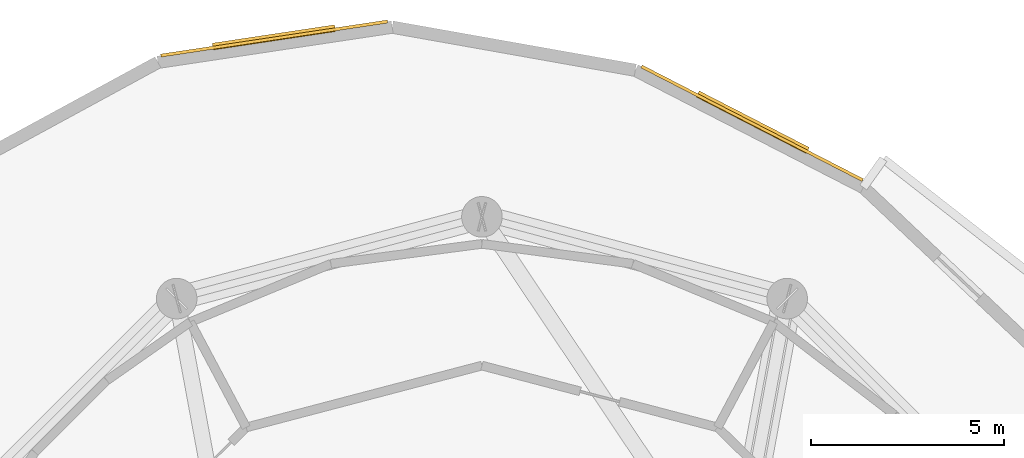
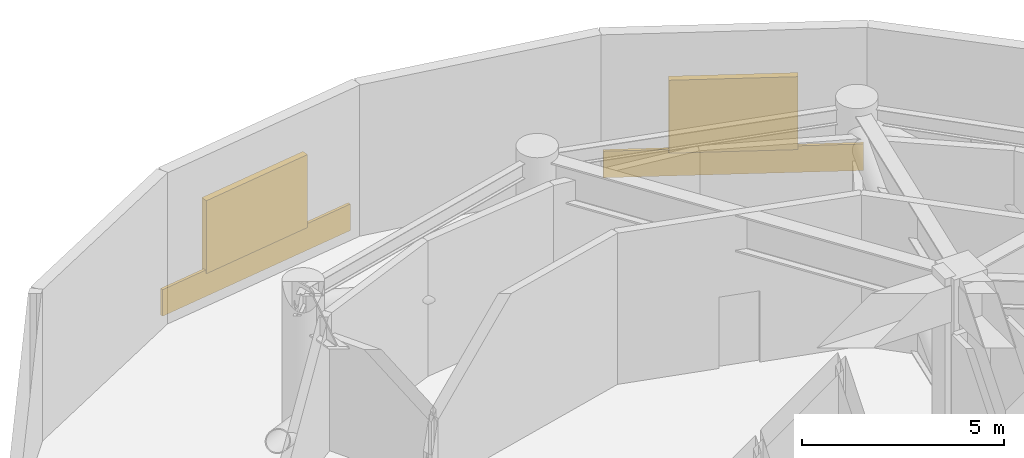
# One storey, part 7 of 7: 2 coverings, 2 shading devices.
"""IFC4 building model written with IfcOpenShell, lengths in metres."""

import ifcopenshell
import ifcopenshell.guid

model = None  # the IFC model being written
_history = None  # IfcOwnerHistory: only IFC2X3 demands one
_inside = {}  # id of a spatial element -> (the spatial element, [elements in it])
_under = {}  # id of a project, library or spatial element -> (it, [spatial elements below it])
_declared = {}  # id of a project -> (the project, [libraries it declares])
_typed = {}  # id of a type object -> (the type object, [elements of that type])
_made_of = {}  # id of a material, layer set ... -> (it, [elements and type objects made of it])


def new_model(schema):
    """Start an empty IFC model of exactly this schema.

    Asked for "IFC4X3", IfcOpenShell would pick the latest addendum, in which some entities
    have other attributes; the version numbers below select the first issue.
    IFC2X3 requires an IfcOwnerHistory on every rooted entity: one is made here for all.
    """
    global model, _history
    if schema == "IFC4X3":
        model = ifcopenshell.file(schema_version=(4, 3, 0, 0))
    else:
        model = ifcopenshell.file(schema=schema)
    _inside.clear()
    _under.clear()
    _declared.clear()
    _typed.clear()
    _made_of.clear()
    _history = None
    if model.schema == "IFC2X3":
        org = make("IfcOrganization", Name="unknown")
        user = make(
            "IfcPersonAndOrganization",
            ThePerson=make("IfcPerson", FamilyName="unknown"),
            TheOrganization=org,
        )
        app = make(
            "IfcApplication",
            ApplicationDeveloper=org,
            Version="unknown",
            ApplicationFullName="unknown",
            ApplicationIdentifier="unknown",
        )
        _history = make(
            "IfcOwnerHistory",
            OwningUser=user,
            OwningApplication=app,
            ChangeAction="ADDED",
            CreationDate=0,
        )
    return model


def make(cls, **values):
    """One entity of the class cls with the attributes given. An attribute that is None is left unset."""
    return model.create_entity(
        cls, **{name: value for name, value in values.items() if value is not None}
    )


def rooted(cls, **values):
    """An entity with a GlobalId (a new one), such as an element, a storey or a relation."""
    return make(cls, GlobalId=ifcopenshell.guid.new(), OwnerHistory=_history, **values)


def si_unit(unit_type, name, prefix=None):
    """IfcSIUnit, for example si_unit("LENGTHUNIT", "METRE", prefix="MILLI")."""
    return make("IfcSIUnit", UnitType=unit_type, Prefix=prefix, Name=name)


def assignment(units):
    """IfcUnitAssignment: the units of a project."""
    return None if units is None else make("IfcUnitAssignment", Units=units)


def point(xyz):
    """IfcCartesianPoint."""
    return None if xyz is None else make("IfcCartesianPoint", Coordinates=xyz)


def direction(xyz):
    """IfcDirection."""
    return None if xyz is None else make("IfcDirection", DirectionRatios=xyz)


def frame(location, z_axis=None, x_axis=None):
    """IfcAxis2Placement3D, a coordinate frame: its origin and axes. An axis left out is left unset."""
    return make(
        "IfcAxis2Placement3D",
        Location=point(location),
        Axis=direction(z_axis),
        RefDirection=direction(x_axis),
    )


def frame_2d(location, x_axis=None):
    """IfcAxis2Placement2D, a coordinate frame in the plane: its origin and x axis."""
    return make(
        "IfcAxis2Placement2D", Location=point(location), RefDirection=direction(x_axis)
    )


def origin():
    """The frame at (0, 0, 0) with its axes left unset."""
    return frame((0.0, 0.0, 0.0))


def origin_2d():
    """The frame at (0, 0) in the plane with its x axis left unset."""
    return frame_2d((0.0, 0.0))


def place(relative_to, where):
    """IfcLocalPlacement: puts the frame where relative to a parent placement (None: the world)."""
    return make(
        "IfcLocalPlacement", PlacementRelTo=relative_to, RelativePlacement=where
    )


def context(
    kind, dimensions, precision=None, world=None, true_north=None, identifier=None
):
    """IfcGeometricRepresentationContext, for example the 3D "Model" context."""
    return make(
        "IfcGeometricRepresentationContext",
        ContextIdentifier=identifier,
        ContextType=kind,
        CoordinateSpaceDimension=dimensions,
        Precision=precision,
        WorldCoordinateSystem=world,
        TrueNorth=true_north,
    )


def subcontext(parent, identifier, kind, view, scale=None):
    """IfcGeometricRepresentationSubContext, for example "Body" below "Model"."""
    return make(
        "IfcGeometricRepresentationSubContext",
        ContextIdentifier=identifier,
        ContextType=kind,
        ParentContext=parent,
        TargetScale=scale,
        TargetView=view,
    )


def project(units=None, contexts=None):
    """IfcProject with its units and contexts."""
    return rooted(
        "IfcProject",
        Name="project",
        RepresentationContexts=contexts,
        UnitsInContext=assignment(units),
    )


def spatial(cls, under=None, at=None, **own):
    """A site, building, storey or space (cls), placed at a placement, below another one or the project."""
    s = rooted(cls, ObjectPlacement=at, **own)
    if under is not None:
        _under.setdefault(under.id(), (under, []))[1].append(s)
    return s


def profile(cls, at=None, kind="AREA", **sizes):
    """A parametric profile (cls). Its sizes go by their IFC names, for example OverallWidth=200.0."""
    return make(cls, ProfileType=kind, Position=at, **sizes)


def rectangle(**sizes):
    """IfcRectangleProfileDef."""
    return profile("IfcRectangleProfileDef", **sizes)


def extrude(swept, where, along, depth):
    """IfcExtrudedAreaSolid: the profile swept, set in the frame where, extruded along a direction by depth."""
    return make(
        "IfcExtrudedAreaSolid",
        SweptArea=swept,
        Position=where,
        ExtrudedDirection=direction(along),
        Depth=depth,
    )


def shape(context_of_items, identifier, shape_type, items):
    """IfcShapeRepresentation: the items that make up one representation, for example the "Body"."""
    return make(
        "IfcShapeRepresentation",
        ContextOfItems=context_of_items,
        RepresentationIdentifier=identifier,
        RepresentationType=shape_type,
        Items=items,
    )


def material(Name=None, Category=None):
    """IfcMaterial."""
    return make("IfcMaterial", Name=Name, Category=Category)


def layer(
    of_material, thickness, ventilated=None, Name=None, Category=None, Priority=None
):
    """IfcMaterialLayer: one layer of a wall or slab, of a material (None: an air gap)."""
    return make(
        "IfcMaterialLayer",
        Material=of_material,
        LayerThickness=thickness,
        IsVentilated=ventilated,
        Name=Name,
        Category=Category,
        Priority=Priority,
    )


def layer_set(layers, Name=None):
    """IfcMaterialLayerSet."""
    return make("IfcMaterialLayerSet", MaterialLayers=layers, LayerSetName=Name)


def made_of(thing, what):
    """Note that an element or type object is made of a material, layer set ...; save() writes the relation."""
    if what is not None:
        _made_of.setdefault(what.id(), (what, []))[1].append(thing)
    return thing


def type_object(cls, material=None, **own):
    """A type object (cls), such as IfcWallType, which elements share."""
    return made_of(rooted(cls, **own), material)


def element(
    cls,
    number,
    at=None,
    inside=None,
    cuts=None,
    type_object=None,
    material=None,
    context=None,
    identifier="Body",
    shape_type=None,
    held_by="IfcProductDefinitionShape",
    body=None,
    shapes=None,
    **own,
):
    """One element of the class cls, such as IfcWall. Its Tag is "e" and its number.

    at: its placement. inside: the storey or other place that contains it. cuts: it is an
    opening in that element (IfcRelVoidsElement). A single representation is given by context,
    identifier, shape_type and body (its items); several are given by shapes. held_by: the class
    of the entity that holds the representations. save() writes the other relations.
    """
    e = rooted(cls, Tag="e%d" % number, ObjectPlacement=at, **own)
    if body is not None:
        shapes = [shape(context, identifier, shape_type, body)]
    if shapes is not None:
        e.Representation = make(held_by, Representations=shapes)
    if inside is not None:
        _inside.setdefault(inside.id(), (inside, []))[1].append(e)
    if cuts is not None:
        rooted(
            "IfcRelVoidsElement", RelatingBuildingElement=cuts, RelatedOpeningElement=e
        )
    if type_object is not None:
        _typed.setdefault(type_object.id(), (type_object, []))[1].append(e)
    return made_of(e, material)


def aggregate(whole, parts):
    """IfcRelAggregates: a whole, such as a stair, and the parts it consists of."""
    return rooted("IfcRelAggregates", RelatingObject=whole, RelatedObjects=parts)


def save(model, path):
    """Write the relations noted so far, then the file.

    IfcRelAggregates (storeys below a building ...), IfcRelContainedInSpatialStructure (elements
    in a storey), IfcRelDefinesByType, IfcRelAssociatesMaterial and IfcRelDeclares: one each for
    every whole, place, type object, material and project.
    """
    for whole, parts in _under.values():
        aggregate(whole, parts)
    for where, things in _inside.values():
        rooted(
            "IfcRelContainedInSpatialStructure",
            RelatedElements=things,
            RelatingStructure=where,
        )
    for kind, things in _typed.values():
        rooted("IfcRelDefinesByType", RelatedObjects=things, RelatingType=kind)
    for what, things in _made_of.values():
        rooted("IfcRelAssociatesMaterial", RelatedObjects=things, RelatingMaterial=what)
    for by, libraries in _declared.values():
        rooted("IfcRelDeclares", RelatingContext=by, RelatedDefinitions=libraries)
    model.write(path)


model = new_model("IFC4")

# Units and contexts
model_context = context("Model", 3, precision=1e-05, world=origin(), true_north=direction((0.0, 1.0)))
body_context = subcontext(model_context, "Body", "Model", "MODEL_VIEW")
ifc_project = project(units=[si_unit("LENGTHUNIT", "METRE"), si_unit("AREAUNIT", "SQUARE_METRE"), si_unit("VOLUMEUNIT", "CUBIC_METRE"), si_unit("PLANEANGLEUNIT", "RADIAN"), si_unit("MASSUNIT", "GRAM", prefix="KILO")], contexts=[model_context])

# Site, building, storey
site_placement = place(None, origin())
site = spatial("IfcSite", under=ifc_project, at=site_placement, CompositionType="ELEMENT")
building_placement = place(site_placement, origin())
building = spatial("IfcBuilding", under=site, at=building_placement, Name="Solvirekh Grand Hotel", CompositionType="ELEMENT")
storey_placement = place(building_placement, frame((0.0, 0.0, 163.800048828125)))
storey = spatial("IfcBuildingStorey", under=building, at=storey_placement, Name="L42", CompositionType="ELEMENT", Elevation=163.800048828125)

# Coverings
ifc_material = material(Name="Anodized Bronze Aluminium 6063-T6", Category="aluminium")
ifc_layer_1 = layer(ifc_material, 0.0400390625)
ifc_layer_set_1 = layer_set([ifc_layer_1], Name="Anodized Bronze Aluminium 6063-T6")
covering_type = type_object("IfcCoveringType", Name="Cov_Cladding_Bronze", PredefinedType="CLADDING", material=ifc_layer_set_1)
covering_1_placement = place(storey_placement, frame((6.992919921875, 18.219970703125, 0.0498046875), z_axis=(0.0, 0.0, 1.0), x_axis=(0.889336581107, -0.457253152537, 0.0)))
element("IfcCovering", 1, at=covering_1_placement, inside=storey, type_object=covering_type, Name="L42 bronze spandrel cladding band 7", PredefinedType="CLADDING", context=body_context, shape_type="SweptSolid", body=[
    extrude(rectangle(XDim=6.43603515625, YDim=0.080078125, at=origin_2d()), origin(), (0.0, 0.0, 1.0), 0.800048828125),
])
covering_2_placement = place(storey_placement, frame((-5.3779296875, 20.4140625, 0.0498046875), z_axis=(0.0, 0.0, 1.0), x_axis=(0.988912431918, 0.14849983838, 0.0)))
element("IfcCovering", 2, at=covering_2_placement, inside=storey, type_object=covering_type, Name="L42 bronze spandrel cladding band 9", PredefinedType="CLADDING", context=body_context, shape_type="SweptSolid", body=[
    extrude(rectangle(XDim=5.931884765625, YDim=0.080078125, at=origin_2d()), origin(), (0.0, 0.0, 1.0), 0.800048828125),
])

# Shading devices
ifc_layer_2 = layer(ifc_material, 0.1201171875)
ifc_layer_set_2 = layer_set([ifc_layer_2], Name="Anodized Bronze Aluminium 6063-T6")
shading_device_type = type_object("IfcShadingDeviceType", Name="Shade_PlantLouvre", PredefinedType="JALOUSIE", material=ifc_layer_set_2)
for number, where, z_axis, x_axis, name in (
    (3, (7.007080078125, 18.2470703125, 0.75), (0.0, 0.0, 1.0), (0.889336581107, -0.457253152537, 0.0), "L42 anodized bronze plant intake louvre 7"),
    (4, (-5.382080078125, 20.443115234375, 0.75), (0.0, 0.0, 1.0), (0.988912431918, 0.14849983838, 0.0), "L42 anodized bronze plant intake louvre 9"),
):
    element("IfcShadingDevice", number, at=place(storey_placement, frame(where, z_axis=z_axis, x_axis=x_axis)), inside=storey, type_object=shading_device_type, Name=name, PredefinedType="JALOUSIE", context=body_context, shape_type="SweptSolid", body=[
        extrude(rectangle(XDim=3.199951171875, YDim=0.179931640625, at=origin_2d()), origin(), (0.0, 0.0, 1.0), 2.199951171875),
    ])

save(model, "model.ifc")
